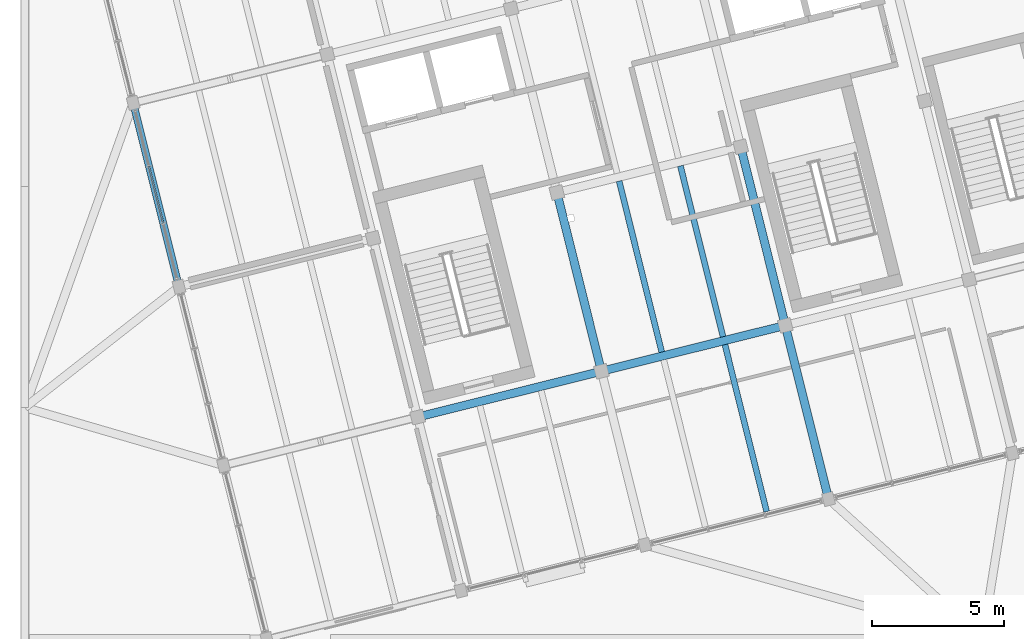
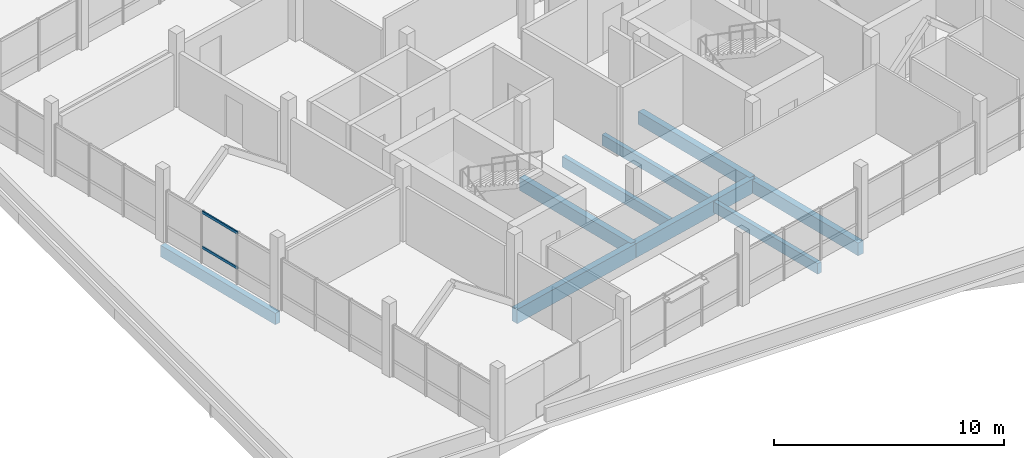
# One storey, part 7 of 37: 9 beams, 2 members, 1 element without a shape of its own.
"""IFC4 building model written with IfcOpenShell, lengths in metres."""

from ifc_helpers import new_model, si_unit, direction, frame, origin, origin_2d, place, context, subcontext, project, spatial, rectangle, hollow_rectangle, extrude, material, layer, layer_set, material_profile, profile_set, type_object, element, aggregate, save


model = new_model("IFC4")

# Units and contexts
model_context = context("Model", 3, precision=1e-05, world=origin(), true_north=direction((0.0, 1.0)))
body_context = subcontext(model_context, "Body", "Model", "MODEL_VIEW")
ifc_project = project(units=[si_unit("LENGTHUNIT", "METRE"), si_unit("AREAUNIT", "SQUARE_METRE"), si_unit("VOLUMEUNIT", "CUBIC_METRE"), si_unit("PLANEANGLEUNIT", "RADIAN"), si_unit("MASSUNIT", "GRAM", prefix="KILO")], contexts=[model_context])

# Site, building, storey
site_placement = place(None, origin())
site = spatial("IfcSite", under=ifc_project, at=site_placement, CompositionType="ELEMENT")
building_placement = place(site_placement, origin())
building = spatial("IfcBuilding", under=site, at=building_placement, Name="Meriwether Solvik Hall", CompositionType="ELEMENT")
storey_placement = place(building_placement, frame((0.0, 0.0, 26.10009765625)))
storey = spatial("IfcBuildingStorey", under=building, at=storey_placement, Name="L06", CompositionType="ELEMENT", Elevation=26.10009765625)

# Beams
ifc_material_1 = material(Name="Glulam Douglas-Fir 24F-V8 GL28h", Category="wood")
ifc_material_profile_1 = material_profile(ifc_material_1, rectangle(XDim=0.27294921875, YDim=0.610107421875, at=origin_2d()), Name="GLB-273X610")
ifc_profile_set_1 = profile_set([ifc_material_profile_1], Name="Glulam Douglas-Fir 24F-V8 GL28h")
beam_type_1 = type_object("IfcBeamType", Name="BM-GL-273X610", PredefinedType="SPANDREL", material=ifc_profile_set_1)
beam_1_placement = place(storey_placement, frame((65.261474609375, 54.590087890625, -0.5751953125), z_axis=(-0.241937193493, 0.970291911955, 0.0), x_axis=(-0.970291911955, -0.241937193493, 0.0)))
element("IfcBeam", 1, at=beam_1_placement, inside=storey, type_object=beam_type_1, Name="Tower Girder T1:TC-TD (L06)", PredefinedType="SPANDREL", context=body_context, shape_type="SweptSolid", body=[
    extrude(rectangle(XDim=0.27294921875, YDim=0.610107421875, at=origin_2d()), origin(), (0.0, 0.0, 1.0), 7.199951171875),
])
ifc_material_2 = material(Name="Glulam Douglas-Fir 24F-V8 GL28h", Category="wood")
ifc_material_profile_2 = material_profile(ifc_material_2, rectangle(XDim=0.31494140625, YDim=0.68505859375, at=origin_2d()), Name="GLB-315X685")
ifc_profile_set_2 = profile_set([ifc_material_profile_2], Name="Glulam Douglas-Fir 24F-V8 GL28h")
beam_type_2 = type_object("IfcBeamType", Name="BM-GL-315X685", PredefinedType="BEAM", material=ifc_profile_set_2)
beam_2_placement = place(storey_placement, frame((81.3154296875, 51.37841796875, -0.5625), z_axis=(-0.241944715397, 0.970290036376, 0.0), x_axis=(-0.970290036376, -0.241944715397, 0.0)))
element("IfcBeam", 2, at=beam_2_placement, inside=storey, type_object=beam_type_2, Name="Tower Girder T3:TB-TC (L06)", PredefinedType="BEAM", context=body_context, shape_type="SweptSolid", body=[
    extrude(rectangle(XDim=0.31494140625, YDim=0.68505859375, at=origin_2d()), origin(), (0.0, 0.0, 1.0), 7.0),
])
beam_3_placement = place(storey_placement, frame((89.946533203125, 46.522216796875, -0.612548828125), z_axis=(-0.24191045034, 0.970298579828, 0.0), x_axis=(-0.970298579828, -0.24191045034, 0.0)))
element("IfcBeam", 3, at=beam_3_placement, inside=storey, type_object=beam_type_2, Name="Tower Girder T4:TA-TB (L06)", PredefinedType="BEAM", context=body_context, shape_type="SweptSolid", body=[
    extrude(rectangle(XDim=0.31494140625, YDim=0.68505859375, at=origin_2d()), origin(), (0.0, 0.0, 1.0), 6.800048828125),
])
beam_4_placement = place(storey_placement, frame((88.301513671875, 53.120361328125, -0.5625), z_axis=(-0.241944715397, 0.970290036376, 0.0), x_axis=(-0.970290036376, -0.241944715397, 0.0)))
element("IfcBeam", 4, at=beam_4_placement, inside=storey, type_object=beam_type_2, Name="Tower Girder T4:TB-TC (L06)", PredefinedType="BEAM", context=body_context, shape_type="SweptSolid", body=[
    extrude(rectangle(XDim=0.31494140625, YDim=0.68505859375, at=origin_2d()), origin(), (0.0, 0.0, 1.0), 7.0),
])
ifc_material_3 = material(Name="Glulam Douglas-Fir 24F-V8 GL28h", Category="wood")
ifc_material_profile_3 = material_profile(ifc_material_3, rectangle(XDim=0.31494140625, YDim=0.760009765625, at=origin_2d()), Name="GLB-315X760")
ifc_profile_set_3 = profile_set([ifc_material_profile_3], Name="Glulam Douglas-Fir 24F-V8 GL28h")
beam_type_3 = type_object("IfcBeamType", Name="BM-GL-315X760", PredefinedType="BEAM", material=ifc_profile_set_3)
beam_5_placement = place(storey_placement, frame((74.3291015625, 49.63671875, -0.60009765625), z_axis=(0.970301855688, 0.241897310542, 0.0), x_axis=(-0.241897310542, 0.970301855688, 0.0)))
element("IfcBeam", 5, at=beam_5_placement, inside=storey, type_object=beam_type_3, Name="Tower Girder TB:T2-T3 (L06)", PredefinedType="BEAM", context=body_context, shape_type="SweptSolid", body=[
    extrude(rectangle(XDim=0.31494140625, YDim=0.760009765625, at=origin_2d()), origin(), (0.0, 0.0, 1.0), 7.2001953125),
])
beam_6_placement = place(storey_placement, frame((81.3154296875, 51.37841796875, -0.60009765625), z_axis=(0.970291911955, 0.241937193493, 0.0), x_axis=(-0.241937193493, 0.970291911955, 0.0)))
element("IfcBeam", 6, at=beam_6_placement, inside=storey, type_object=beam_type_3, Name="Tower Girder TB:T3-T4 (L06)", PredefinedType="BEAM", context=body_context, shape_type="SweptSolid", body=[
    extrude(rectangle(XDim=0.31494140625, YDim=0.760009765625, at=origin_2d()), origin(), (0.0, 0.0, 1.0), 7.199951171875),
])

# Curtain wall, members
ifc_material_4 = material(Name="Thermally Broken Anodised Aluminium 6063-T6 and Low-E Glass", Category="aluminium")
ifc_layer = layer(ifc_material_4, 0.179931640625)
ifc_layer_set = layer_set([ifc_layer], Name="Thermally Broken Anodised Aluminium 6063-T6 and Low-E Glass")
curtain_wall_type = type_object("IfcCurtainWallType", Name="CW-UNIT-D", PredefinedType="USERDEFINED", material=ifc_layer_set)
curtain_wall_placement = place(storey_placement, origin())
curtain_wall = element("IfcCurtainWall", 7, at=curtain_wall_placement, inside=storey, type_object=curtain_wall_type, Name="Curtain Wall E5_B2 (L06)", ObjectType="UNITISED CURTAIN WALL", PredefinedType="USERDEFINED")
ifc_material_5 = material(Name="Anodised Aluminium 6063-T6", Category="aluminium")
ifc_material_profile_4 = material_profile(ifc_material_5, hollow_rectangle(XDim=0.06494140625, YDim=0.139892578125, WallThickness=0.00439453125, at=origin_2d()), Name="CWT-65X140")
ifc_profile_set_4 = profile_set([ifc_material_profile_4], Name="Anodised Aluminium 6063-T6")
member_type = type_object("IfcMemberType", Name="CW-TRN-65X140", PredefinedType="USERDEFINED", material=ifc_profile_set_4)
member_1_placement = place(storey_placement, frame((64.659912109375, 57.002685546875, 0.824951171875), z_axis=(-0.241942315128, 0.970290634888, 0.0), x_axis=(-0.970290634888, -0.241942315128, 0.0)))
member_1 = element("IfcMember", 8, at=member_1_placement, type_object=member_type, Name="Curtain Wall Transom 2-sill", ObjectType="TRANSOM", PredefinedType="USERDEFINED", context=body_context, shape_type="SweptSolid", body=[
    extrude(hollow_rectangle(XDim=0.06494140625, YDim=0.139892578125, WallThickness=0.00439453125, at=origin_2d()), origin(), (0.0, 0.0, 1.0), 2.22705078125),
])
member_2_placement = place(storey_placement, frame((64.659912109375, 57.002685546875, 2.68994140625), z_axis=(-0.241942315128, 0.970290634888, 0.0), x_axis=(-0.970290634888, -0.241942315128, 0.0)))
member_2 = element("IfcMember", 9, at=member_2_placement, type_object=member_type, Name="Curtain Wall Transom 2-head", ObjectType="TRANSOM", PredefinedType="USERDEFINED", context=body_context, shape_type="SweptSolid", body=[
    extrude(hollow_rectangle(XDim=0.06494140625, YDim=0.139892578125, WallThickness=0.00439453125, at=origin_2d()), origin(), (0.0, 0.0, 1.0), 2.22705078125),
])
aggregate(curtain_wall, [member_1, member_2])

# Beams
ifc_material_6 = material(Name="Glulam Douglas-Fir 24F-V8 GL28h", Category="wood")
ifc_material_profile_5 = material_profile(ifc_material_6, rectangle(XDim=0.221923828125, YDim=0.570068359375, at=origin_2d()), Name="GLJ-222X570")
ifc_profile_set_5 = profile_set([ifc_material_profile_5], Name="Glulam Douglas-Fir 24F-V8 GL28h")
beam_type_4 = type_object("IfcBeamType", Name="JST-GL-222X570", PredefinedType="JOIST", material=ifc_profile_set_5)
beam_7_placement = place(storey_placement, frame((87.592041015625, 46.04443359375, -0.55517578125), z_axis=(-0.241920861923, 0.970295984, 0.0), x_axis=(-0.970295984, -0.241920861923, 0.0)))
element("IfcBeam", 10, at=beam_7_placement, inside=storey, type_object=beam_type_4, Name="Glulam Floor Joist T3/TA-J2 (L06)", PredefinedType="JOIST", context=body_context, shape_type="SweptSolid", body=[
    extrude(rectangle(XDim=0.221923828125, YDim=0.570068359375, at=origin_2d()), origin(), (0.0, 0.0, 1.0), 6.54150390625),
])
beam_8_placement = place(storey_placement, frame((83.607177734375, 52.10693359375, -0.505126953125), z_axis=(-0.241909233393, 0.970298883231, 0.0), x_axis=(-0.970298883231, -0.241909233393, 0.0)))
element("IfcBeam", 11, at=beam_8_placement, inside=storey, type_object=beam_type_4, Name="Glulam Floor Joist T3/TB-J1 (L06)", PredefinedType="JOIST", context=body_context, shape_type="SweptSolid", body=[
    extrude(rectangle(XDim=0.221923828125, YDim=0.570068359375, at=origin_2d()), origin(), (0.0, 0.0, 1.0), 6.6953125),
])
beam_9_placement = place(storey_placement, frame((85.935791015625, 52.687744140625, -0.505126953125), z_axis=(-0.241917792922, 0.970296749179, 0.0), x_axis=(-0.970296749179, -0.241917792922, 0.0)))
element("IfcBeam", 12, at=beam_9_placement, inside=storey, type_object=beam_type_4, Name="Glulam Floor Joist T3/TB-J2 (L06)", PredefinedType="JOIST", context=body_context, shape_type="SweptSolid", body=[
    extrude(rectangle(XDim=0.221923828125, YDim=0.570068359375, at=origin_2d()), origin(), (0.0, 0.0, 1.0), 6.695068359375),
])

save(model, "model.ifc")
